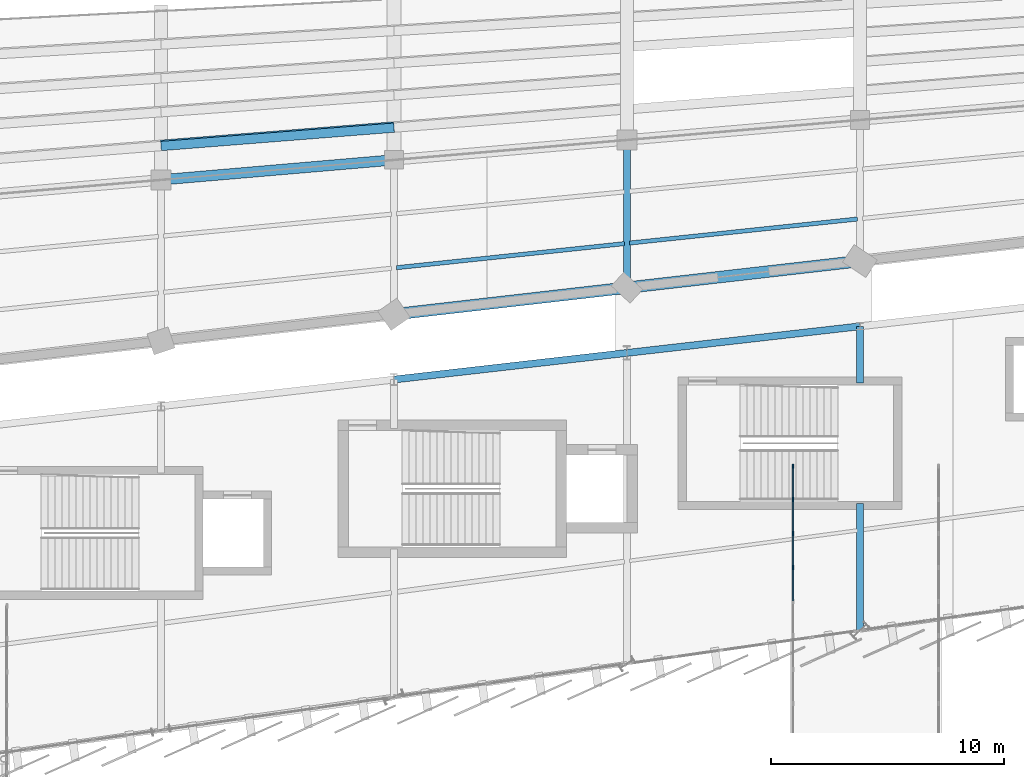
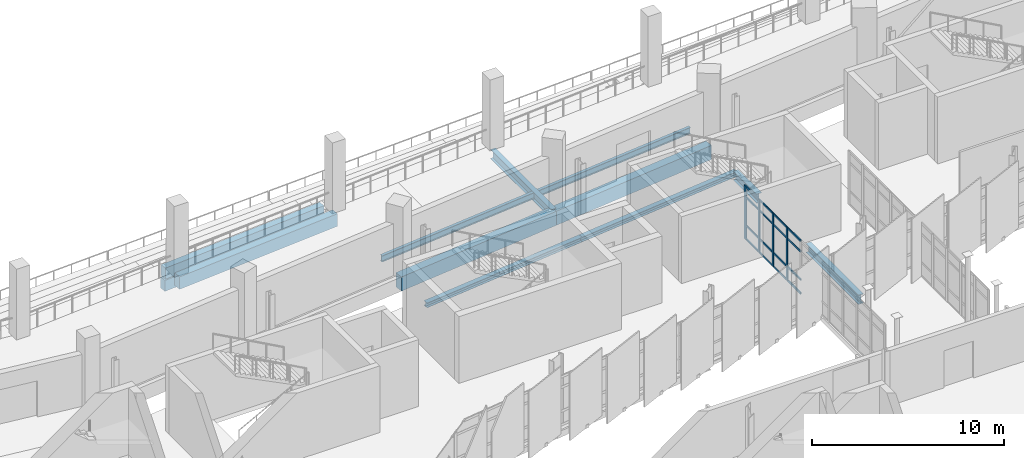
# One storey, part 42 of 134: 20 members, 12 beams, 1 element without a shape of its own.
"""IFC4 building model written with IfcOpenShell, lengths in metres."""

from ifc_helpers import new_model, si_unit, direction, frame, origin, origin_2d, place, context, subcontext, project, spatial, rectangle, i_section, extrude, material, layer, layer_set, material_profile, profile_set, type_object, element, aggregate, save


model = new_model("IFC4")

# Units and contexts
model_context = context("Model", 3, precision=1e-05, world=origin(), true_north=direction((0.0, 1.0)))
body_context = subcontext(model_context, "Body", "Model", "MODEL_VIEW")
ifc_project = project(units=[si_unit("LENGTHUNIT", "METRE"), si_unit("AREAUNIT", "SQUARE_METRE"), si_unit("VOLUMEUNIT", "CUBIC_METRE"), si_unit("PLANEANGLEUNIT", "RADIAN"), si_unit("MASSUNIT", "GRAM", prefix="KILO")], contexts=[model_context])

# Site, building, storey
site_placement = place(None, origin())
site = spatial("IfcSite", under=ifc_project, at=site_placement, CompositionType="ELEMENT")
building_placement = place(site_placement, origin())
building = spatial("IfcBuilding", under=site, at=building_placement, Name="Sohan Crest Arena", CompositionType="ELEMENT")
storey_placement = place(building_placement, frame((0.0, 0.0, 4.5)))
storey = spatial("IfcBuildingStorey", under=building, at=storey_placement, Name="L01", CompositionType="ELEMENT", Elevation=4.5)

# Curtain wall, members
ifc_material_1 = material(Name="Thermally broken anodised aluminium", Category="aluminium")
ifc_layer = layer(ifc_material_1, 0.18994140625, Name="Thermally broken anodised aluminium")
ifc_layer_set = layer_set([ifc_layer], Name="Thermally broken anodised aluminium")
curtain_wall_type = type_object("IfcCurtainWallType", Name="ARC-CW05", PredefinedType="NOTDEFINED", material=ifc_layer_set)
curtain_wall_placement = place(storey_placement, origin())
curtain_wall = element("IfcCurtainWall", 1, at=curtain_wall_placement, inside=storey, type_object=curtain_wall_type, Name="Unitised curtain wall CW-255", PredefinedType="NOTDEFINED")
ifc_material_profile_1 = material_profile(ifc_material_1, rectangle(XDim=0.06494140625, YDim=0.179931640625, at=origin_2d()), Name="ALU-MULL 65x180")
ifc_profile_set_1 = profile_set([ifc_material_profile_1], Name="Thermally broken anodised aluminium")
member_type_1 = type_object("IfcMemberType", Name="ARC-CW-ML02", PredefinedType="MULLION", material=ifc_profile_set_1)
member_1_placement = place(storey_placement, frame((135.1201171875, 38.419921875, 0.0), z_axis=(0.0, 0.0, 1.0), x_axis=(-1.0, 0.0, 0.0)))
member_1 = element("IfcMember", 2, at=member_1_placement, type_object=member_type_1, Name="CW-255 mullion 8", PredefinedType="MULLION", context=body_context, shape_type="SweptSolid", body=[
    extrude(rectangle(XDim=0.06494140625, YDim=0.179931640625, at=origin_2d()), origin(), (0.0, 0.0, 1.0), 3.39990234375),
])
member_2_placement = place(storey_placement, frame((135.1201171875, 39.8798828125, 0.0), z_axis=(0.0, 0.0, 1.0), x_axis=(-1.0, 0.0, 0.0)))
member_2 = element("IfcMember", 3, at=member_2_placement, type_object=member_type_1, Name="CW-255 mullion 9", PredefinedType="MULLION", context=body_context, shape_type="SweptSolid", body=[
    extrude(rectangle(XDim=0.06494140625, YDim=0.179931640625, at=origin_2d()), origin(), (0.0, 0.0, 1.0), 3.39990234375),
])
member_3_placement = place(storey_placement, frame((135.1201171875, 41.340087890625, 0.0), z_axis=(0.0, 0.0, 1.0), x_axis=(-1.0, 0.0, 0.0)))
member_3 = element("IfcMember", 4, at=member_3_placement, type_object=member_type_1, Name="CW-255 mullion 10", PredefinedType="MULLION", context=body_context, shape_type="SweptSolid", body=[
    extrude(rectangle(XDim=0.06494140625, YDim=0.179931640625, at=origin_2d()), origin(), (0.0, 0.0, 1.0), 3.39990234375),
])
member_4_placement = place(storey_placement, frame((135.1201171875, 42.767578125, 0.0), z_axis=(0.0, 0.0, 1.0), x_axis=(-1.0, 0.0, 0.0)))
member_4 = element("IfcMember", 5, at=member_4_placement, type_object=member_type_1, Name="CW-255 mullion 11", PredefinedType="MULLION", context=body_context, shape_type="SweptSolid", body=[
    extrude(rectangle(XDim=0.06494140625, YDim=0.179931640625, at=origin_2d()), origin(), (0.0, 0.0, 1.0), 3.39990234375),
])
ifc_material_profile_2 = material_profile(ifc_material_1, rectangle(XDim=0.06005859375, YDim=0.1201171875, at=origin_2d()), Name="ALU-TRAN 60x120")
ifc_profile_set_2 = profile_set([ifc_material_profile_2], Name="Thermally broken anodised aluminium")
member_type_2 = type_object("IfcMemberType", Name="ARC-CW-TR01", PredefinedType="USERDEFINED", material=ifc_profile_set_2)
member_5_placement = place(storey_placement, frame((135.1201171875, 36.992431640625, 0.030029296875), z_axis=(0.0, 1.0, 0.0), x_axis=(-1.0, 0.0, 0.0)))
member_5 = element("IfcMember", 6, at=member_5_placement, type_object=member_type_2, Name="CW-255 transom 7.1", ObjectType="TRANSOM", PredefinedType="USERDEFINED", context=body_context, shape_type="SweptSolid", body=[
    extrude(rectangle(XDim=0.06005859375, YDim=0.1201171875, at=origin_2d()), origin(), (0.0, 0.0, 1.0), 1.39501953125),
])
member_6_placement = place(storey_placement, frame((135.1201171875, 36.992431640625, 0.89990234375), z_axis=(0.0, 1.0, 0.0), x_axis=(-1.0, 0.0, 0.0)))
member_6 = element("IfcMember", 7, at=member_6_placement, type_object=member_type_2, Name="CW-255 transom 7.2", ObjectType="TRANSOM", PredefinedType="USERDEFINED", context=body_context, shape_type="SweptSolid", body=[
    extrude(rectangle(XDim=0.06005859375, YDim=0.1201171875, at=origin_2d()), origin(), (0.0, 0.0, 1.0), 1.39501953125),
])
member_7_placement = place(storey_placement, frame((135.1201171875, 36.992431640625, 2.699951171875), z_axis=(0.0, 1.0, 0.0), x_axis=(-1.0, 0.0, 0.0)))
member_7 = element("IfcMember", 8, at=member_7_placement, type_object=member_type_2, Name="CW-255 transom 7.3", ObjectType="TRANSOM", PredefinedType="USERDEFINED", context=body_context, shape_type="SweptSolid", body=[
    extrude(rectangle(XDim=0.06005859375, YDim=0.1201171875, at=origin_2d()), origin(), (0.0, 0.0, 1.0), 1.39501953125),
])
member_8_placement = place(storey_placement, frame((135.1201171875, 36.992431640625, 3.3701171875), z_axis=(0.0, 1.0, 0.0), x_axis=(-1.0, 0.0, 0.0)))
member_8 = element("IfcMember", 9, at=member_8_placement, type_object=member_type_2, Name="CW-255 transom 7.4", ObjectType="TRANSOM", PredefinedType="USERDEFINED", context=body_context, shape_type="SweptSolid", body=[
    extrude(rectangle(XDim=0.06005859375, YDim=0.1201171875, at=origin_2d()), origin(), (0.0, 0.0, 1.0), 1.39501953125),
])
member_9_placement = place(storey_placement, frame((135.1201171875, 38.452392578125, 0.030029296875), z_axis=(0.0, 1.0, 0.0), x_axis=(-1.0, 0.0, 0.0)))
member_9 = element("IfcMember", 10, at=member_9_placement, type_object=member_type_2, Name="CW-255 transom 8.1", ObjectType="TRANSOM", PredefinedType="USERDEFINED", context=body_context, shape_type="SweptSolid", body=[
    extrude(rectangle(XDim=0.06005859375, YDim=0.1201171875, at=origin_2d()), origin(), (0.0, 0.0, 1.0), 1.39501953125),
])
member_10_placement = place(storey_placement, frame((135.1201171875, 38.452392578125, 0.89990234375), z_axis=(0.0, 1.0, 0.0), x_axis=(-1.0, 0.0, 0.0)))
member_10 = element("IfcMember", 11, at=member_10_placement, type_object=member_type_2, Name="CW-255 transom 8.2", ObjectType="TRANSOM", PredefinedType="USERDEFINED", context=body_context, shape_type="SweptSolid", body=[
    extrude(rectangle(XDim=0.06005859375, YDim=0.1201171875, at=origin_2d()), origin(), (0.0, 0.0, 1.0), 1.39501953125),
])
member_11_placement = place(storey_placement, frame((135.1201171875, 38.452392578125, 2.699951171875), z_axis=(0.0, 1.0, 0.0), x_axis=(-1.0, 0.0, 0.0)))
member_11 = element("IfcMember", 12, at=member_11_placement, type_object=member_type_2, Name="CW-255 transom 8.3", ObjectType="TRANSOM", PredefinedType="USERDEFINED", context=body_context, shape_type="SweptSolid", body=[
    extrude(rectangle(XDim=0.06005859375, YDim=0.1201171875, at=origin_2d()), origin(), (0.0, 0.0, 1.0), 1.39501953125),
])
member_12_placement = place(storey_placement, frame((135.1201171875, 38.452392578125, 3.3701171875), z_axis=(0.0, 1.0, 0.0), x_axis=(-1.0, 0.0, 0.0)))
member_12 = element("IfcMember", 13, at=member_12_placement, type_object=member_type_2, Name="CW-255 transom 8.4", ObjectType="TRANSOM", PredefinedType="USERDEFINED", context=body_context, shape_type="SweptSolid", body=[
    extrude(rectangle(XDim=0.06005859375, YDim=0.1201171875, at=origin_2d()), origin(), (0.0, 0.0, 1.0), 1.39501953125),
])
member_13_placement = place(storey_placement, frame((135.1201171875, 39.91259765625, 0.030029296875), z_axis=(0.0, 1.0, 0.0), x_axis=(-1.0, 0.0, 0.0)))
member_13 = element("IfcMember", 14, at=member_13_placement, type_object=member_type_2, Name="CW-255 transom 9.1", ObjectType="TRANSOM", PredefinedType="USERDEFINED", context=body_context, shape_type="SweptSolid", body=[
    extrude(rectangle(XDim=0.06005859375, YDim=0.1201171875, at=origin_2d()), origin(), (0.0, 0.0, 1.0), 1.39501953125),
])
member_14_placement = place(storey_placement, frame((135.1201171875, 39.91259765625, 0.89990234375), z_axis=(0.0, 1.0, 0.0), x_axis=(-1.0, 0.0, 0.0)))
member_14 = element("IfcMember", 15, at=member_14_placement, type_object=member_type_2, Name="CW-255 transom 9.2", ObjectType="TRANSOM", PredefinedType="USERDEFINED", context=body_context, shape_type="SweptSolid", body=[
    extrude(rectangle(XDim=0.06005859375, YDim=0.1201171875, at=origin_2d()), origin(), (0.0, 0.0, 1.0), 1.39501953125),
])
member_15_placement = place(storey_placement, frame((135.1201171875, 39.91259765625, 2.699951171875), z_axis=(0.0, 1.0, 0.0), x_axis=(-1.0, 0.0, 0.0)))
member_15 = element("IfcMember", 16, at=member_15_placement, type_object=member_type_2, Name="CW-255 transom 9.3", ObjectType="TRANSOM", PredefinedType="USERDEFINED", context=body_context, shape_type="SweptSolid", body=[
    extrude(rectangle(XDim=0.06005859375, YDim=0.1201171875, at=origin_2d()), origin(), (0.0, 0.0, 1.0), 1.39501953125),
])
member_16_placement = place(storey_placement, frame((135.1201171875, 39.91259765625, 3.3701171875), z_axis=(0.0, 1.0, 0.0), x_axis=(-1.0, 0.0, 0.0)))
member_16 = element("IfcMember", 17, at=member_16_placement, type_object=member_type_2, Name="CW-255 transom 9.4", ObjectType="TRANSOM", PredefinedType="USERDEFINED", context=body_context, shape_type="SweptSolid", body=[
    extrude(rectangle(XDim=0.06005859375, YDim=0.1201171875, at=origin_2d()), origin(), (0.0, 0.0, 1.0), 1.39501953125),
])
member_17_placement = place(storey_placement, frame((135.1201171875, 41.37255859375, 0.030029296875), z_axis=(0.0, 1.0, 0.0), x_axis=(-1.0, 0.0, 0.0)))
member_17 = element("IfcMember", 18, at=member_17_placement, type_object=member_type_2, Name="CW-255 transom 10.1", ObjectType="TRANSOM", PredefinedType="USERDEFINED", context=body_context, shape_type="SweptSolid", body=[
    extrude(rectangle(XDim=0.06005859375, YDim=0.1201171875, at=origin_2d()), origin(), (0.0, 0.0, 1.0), 1.362548828125),
])
member_18_placement = place(storey_placement, frame((135.1201171875, 41.37255859375, 0.89990234375), z_axis=(0.0, 1.0, 0.0), x_axis=(-1.0, 0.0, 0.0)))
member_18 = element("IfcMember", 19, at=member_18_placement, type_object=member_type_2, Name="CW-255 transom 10.2", ObjectType="TRANSOM", PredefinedType="USERDEFINED", context=body_context, shape_type="SweptSolid", body=[
    extrude(rectangle(XDim=0.06005859375, YDim=0.1201171875, at=origin_2d()), origin(), (0.0, 0.0, 1.0), 1.362548828125),
])
member_19_placement = place(storey_placement, frame((135.1201171875, 41.37255859375, 2.699951171875), z_axis=(0.0, 1.0, 0.0), x_axis=(-1.0, 0.0, 0.0)))
member_19 = element("IfcMember", 20, at=member_19_placement, type_object=member_type_2, Name="CW-255 transom 10.3", ObjectType="TRANSOM", PredefinedType="USERDEFINED", context=body_context, shape_type="SweptSolid", body=[
    extrude(rectangle(XDim=0.06005859375, YDim=0.1201171875, at=origin_2d()), origin(), (0.0, 0.0, 1.0), 1.362548828125),
])
member_20_placement = place(storey_placement, frame((135.1201171875, 41.37255859375, 3.3701171875), z_axis=(0.0, 1.0, 0.0), x_axis=(-1.0, 0.0, 0.0)))
member_20 = element("IfcMember", 21, at=member_20_placement, type_object=member_type_2, Name="CW-255 transom 10.4", ObjectType="TRANSOM", PredefinedType="USERDEFINED", context=body_context, shape_type="SweptSolid", body=[
    extrude(rectangle(XDim=0.06005859375, YDim=0.1201171875, at=origin_2d()), origin(), (0.0, 0.0, 1.0), 1.362548828125),
])
aggregate(curtain_wall, [member_1, member_2, member_3, member_4, member_5, member_6, member_7, member_8, member_9, member_10, member_11, member_12, member_13, member_14, member_15, member_16, member_17, member_18, member_19, member_20])

# Beams
ifc_material_2 = material(Name="Steel S355", Category="steel")
ifc_material_profile_3 = material_profile(ifc_material_2, i_section(OverallWidth=0.179931640625, OverallDepth=0.39990234375, WebThickness=0.008544921875, FlangeThickness=0.013427734375, at=origin_2d()), Name="IPE 400")
ifc_profile_set_3 = profile_set([ifc_material_profile_3], Name="Steel S355")
beam_type_1 = type_object("IfcBeamType", Name="STR-BM-B03", PredefinedType="JOIST", material=ifc_profile_set_3)
beam_1_placement = place(storey_placement, frame((118.10888671875, 51.285888671875, -0.449951171875), z_axis=(0.994458024707, 0.105134376377, 0.0), x_axis=(-0.105134376377, 0.994458024707, 0.0)))
element("IfcBeam", 22, at=beam_1_placement, inside=storey, type_object=beam_type_1, Name="Structural beam J-L01-0376", PredefinedType="JOIST", context=body_context, shape_type="SweptSolid", body=[
    extrude(i_section(OverallWidth=0.179931640625, OverallDepth=0.39990234375, WebThickness=0.008544921875, FlangeThickness=0.013427734375, at=origin_2d()), origin(), (0.0, 0.0, 1.0), 9.836669921875),
])
beam_2_placement = place(storey_placement, frame((128.10888671875, 52.343994140625, -0.449951171875), z_axis=(0.994481354784, 0.104913464278, 0.0), x_axis=(-0.104913464278, 0.994481354784, 0.0)))
element("IfcBeam", 23, at=beam_2_placement, inside=storey, type_object=beam_type_1, Name="Structural beam J-L01-0398", PredefinedType="JOIST", context=body_context, shape_type="SweptSolid", body=[
    extrude(i_section(OverallWidth=0.179931640625, OverallDepth=0.39990234375, WebThickness=0.008544921875, FlangeThickness=0.013427734375, at=origin_2d()), origin(), (0.0, 0.0, 1.0), 9.83642578125),
])
ifc_material_profile_4 = material_profile(ifc_material_2, i_section(OverallWidth=0.300048828125, OverallDepth=0.590087890625, WebThickness=0.012939453125, FlangeThickness=0.02490234375, at=origin_2d()), Name="HEA 600")
ifc_profile_set_4 = profile_set([ifc_material_profile_4], Name="Steel S355")
beam_type_2 = type_object("IfcBeamType", Name="STR-BM-B11", PredefinedType="BEAM", material=ifc_profile_set_4)
beam_3_placement = place(storey_placement, frame((128.0, 56.77099609375, -0.544921875), z_axis=(0.0, -1.0, 0.0), x_axis=(1.0, 0.0, 0.0)))
element("IfcBeam", 24, at=beam_3_placement, inside=storey, type_object=beam_type_2, Name="Structural beam G-L01-0396", PredefinedType="BEAM", context=body_context, shape_type="SweptSolid", body=[
    extrude(i_section(OverallWidth=0.300048828125, OverallDepth=0.590087890625, WebThickness=0.012939453125, FlangeThickness=0.02490234375, at=origin_2d()), origin(), (0.0, 0.0, 1.0), 6.342041015625),
])
beam_4_placement = place(storey_placement, frame((138.0, 48.77099609375, -0.570068359375), z_axis=(0.0, -1.0, 0.0), x_axis=(1.0, 0.0, 0.0)))
element("IfcBeam", 25, at=beam_4_placement, inside=storey, type_object=beam_type_2, Name="Structural beam G-L01-1157", PredefinedType="BEAM", context=body_context, shape_type="SweptSolid", body=[
    extrude(i_section(OverallWidth=0.300048828125, OverallDepth=0.590087890625, WebThickness=0.012939453125, FlangeThickness=0.02490234375, at=origin_2d()), origin(), (0.0, 0.0, 1.0), 2.44091796875),
])
beam_5_placement = place(storey_placement, frame((138.0, 41.169921875, -0.570068359375), z_axis=(0.0, -1.0, 0.0), x_axis=(1.0, 0.0, 0.0)))
element("IfcBeam", 26, at=beam_5_placement, inside=storey, type_object=beam_type_2, Name="Structural beam G-L01-1158", PredefinedType="BEAM", context=body_context, shape_type="SweptSolid", body=[
    extrude(i_section(OverallWidth=0.300048828125, OverallDepth=0.590087890625, WebThickness=0.012939453125, FlangeThickness=0.02490234375, at=origin_2d()), origin(), (0.0, 0.0, 1.0), 5.455810546875),
])
ifc_material_profile_5 = material_profile(ifc_material_2, i_section(OverallWidth=0.300048828125, OverallDepth=0.300048828125, WebThickness=0.010986328125, FlangeThickness=0.01904296875, at=origin_2d()), Name="HEB 300")
ifc_profile_set_5 = profile_set([ifc_material_profile_5], Name="Steel S355")
beam_type_3 = type_object("IfcBeamType", Name="STR-BM-B12", PredefinedType="BEAM", material=ifc_profile_set_5)
beam_6_placement = place(storey_placement, frame((118.0, 46.486083984375, -0.425048828125), z_axis=(0.993533063564, 0.113543170668, 0.0), x_axis=(-0.113543170668, 0.993533063564, 0.0)))
element("IfcBeam", 27, at=beam_6_placement, inside=storey, type_object=beam_type_3, Name="Structural beam G-L01-1150", PredefinedType="BEAM", context=body_context, shape_type="SweptSolid", body=[
    extrude(i_section(OverallWidth=0.300048828125, OverallDepth=0.300048828125, WebThickness=0.010986328125, FlangeThickness=0.01904296875, at=origin_2d()), origin(), (0.0, 0.0, 1.0), 10.065185546875),
])
beam_7_placement = place(storey_placement, frame((128.0, 47.62890625, -0.425048828125), z_axis=(0.993541269973, 0.113471339378, 0.0), x_axis=(-0.113471339378, 0.993541269973, 0.0)))
element("IfcBeam", 28, at=beam_7_placement, inside=storey, type_object=beam_type_3, Name="Structural beam G-L01-1154", PredefinedType="BEAM", context=body_context, shape_type="SweptSolid", body=[
    extrude(i_section(OverallWidth=0.300048828125, OverallDepth=0.300048828125, WebThickness=0.010986328125, FlangeThickness=0.01904296875, at=origin_2d()), origin(), (0.0, 0.0, 1.0), 10.06494140625),
])
ifc_material_3 = material(Name="Concrete C40/50", Category="concrete")
ifc_material_profile_6 = material_profile(ifc_material_3, rectangle(XDim=0.39990234375, YDim=0.699951171875, at=origin_2d()), Name="RC-BM 400x700")
ifc_profile_set_6 = profile_set([ifc_material_profile_6], Name="Concrete C40/50")
beam_type_4 = type_object("IfcBeamType", Name="STR-BM-TB01", PredefinedType="BEAM", material=ifc_profile_set_6)
beam_8_placement = place(storey_placement, frame((108.0, 56.56591796875, -1.760986328125), z_axis=(0.996924225014, 0.078371484486, 0.0), x_axis=(-0.078371484486, 0.996924225014, 0.0)))
element("IfcBeam", 29, at=beam_8_placement, inside=storey, type_object=beam_type_4, Name="Tier rear stringer beam TSB-L110B", PredefinedType="BEAM", context=body_context, shape_type="SweptSolid", body=[
    extrude(rectangle(XDim=0.39990234375, YDim=0.699951171875, at=origin_2d()), origin(), (0.0, 0.0, 1.0), 10.03076171875),
])
beam_9_placement = place(storey_placement, frame((108.0, 56.508056640625, -0.94091796875), z_axis=(0.996901363909, 0.078661748246, 0.0), x_axis=(-0.078661748246, 0.996901363909, 0.0)))
element("IfcBeam", 30, at=beam_9_placement, inside=storey, type_object=beam_type_4, Name="Tier front stringer beam TSB-L111A", PredefinedType="BEAM", context=body_context, shape_type="SweptSolid", body=[
    extrude(rectangle(XDim=0.39990234375, YDim=0.699951171875, at=origin_2d()), origin(), (0.0, 0.0, 1.0), 10.031005859375),
])
ifc_material_profile_7 = material_profile(ifc_material_3, rectangle(XDim=0.449951171875, YDim=0.800048828125, at=origin_2d()), Name="RC-BM 450x800")
ifc_profile_set_7 = profile_set([ifc_material_profile_7], Name="Concrete C40/50")
beam_type_5 = type_object("IfcBeamType", Name="STR-BM-TB02", PredefinedType="BEAM", material=ifc_profile_set_7)
beam_10_placement = place(storey_placement, frame((108.0, 55.056884765625, -0.64990234375), z_axis=(0.996346353353, 0.085404590982, 0.0), x_axis=(-0.085404590982, 0.996346353353, 0.0)))
element("IfcBeam", 31, at=beam_10_placement, inside=storey, type_object=beam_type_5, Name="Structural beam TB-L01-0350", PredefinedType="BEAM", context=body_context, shape_type="SweptSolid", body=[
    extrude(rectangle(XDim=0.449951171875, YDim=0.800048828125, at=origin_2d()), origin(), (0.0, 0.0, 1.0), 10.03662109375),
])
ifc_material_profile_8 = material_profile(ifc_material_3, rectangle(XDim=0.5, YDim=0.89990234375, at=origin_2d()), Name="RC-BM 500x900")
ifc_profile_set_8 = profile_set([ifc_material_profile_8], Name="Concrete C40/50")
beam_type_6 = type_object("IfcBeamType", Name="STR-BM-TB03", PredefinedType="BEAM", material=ifc_profile_set_8)
beam_11_placement = place(storey_placement, frame((118.0, 49.285888671875, -0.699951171875), z_axis=(0.99353032697, 0.113567114035, 0.0), x_axis=(-0.113567114035, 0.99353032697, 0.0)))
element("IfcBeam", 32, at=beam_11_placement, inside=storey, type_object=beam_type_6, Name="Structural beam TB-L01-0373", PredefinedType="BEAM", context=body_context, shape_type="SweptSolid", body=[
    extrude(rectangle(XDim=0.5, YDim=0.89990234375, at=origin_2d()), origin(), (0.0, 0.0, 1.0), 10.065185546875),
])
beam_12_placement = place(storey_placement, frame((128.0, 50.428955078125, -0.699951171875), z_axis=(0.993541269973, 0.113471339378, 0.0), x_axis=(-0.113471339378, 0.993541269973, 0.0)))
element("IfcBeam", 33, at=beam_12_placement, inside=storey, type_object=beam_type_6, Name="Structural beam TB-L01-0395", PredefinedType="BEAM", context=body_context, shape_type="SweptSolid", body=[
    extrude(rectangle(XDim=0.5, YDim=0.89990234375, at=origin_2d()), origin(), (0.0, 0.0, 1.0), 10.06494140625),
])

save(model, "model.ifc")
